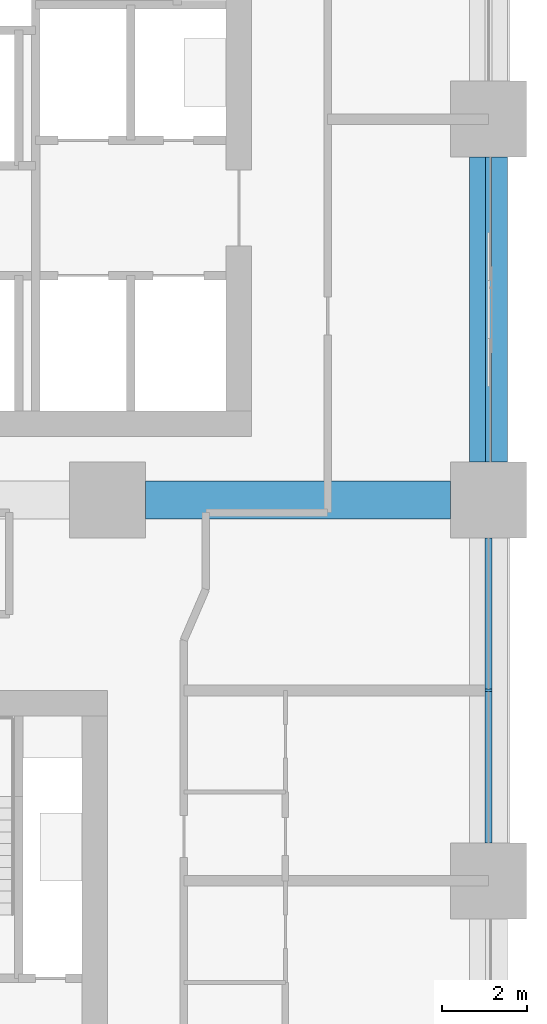
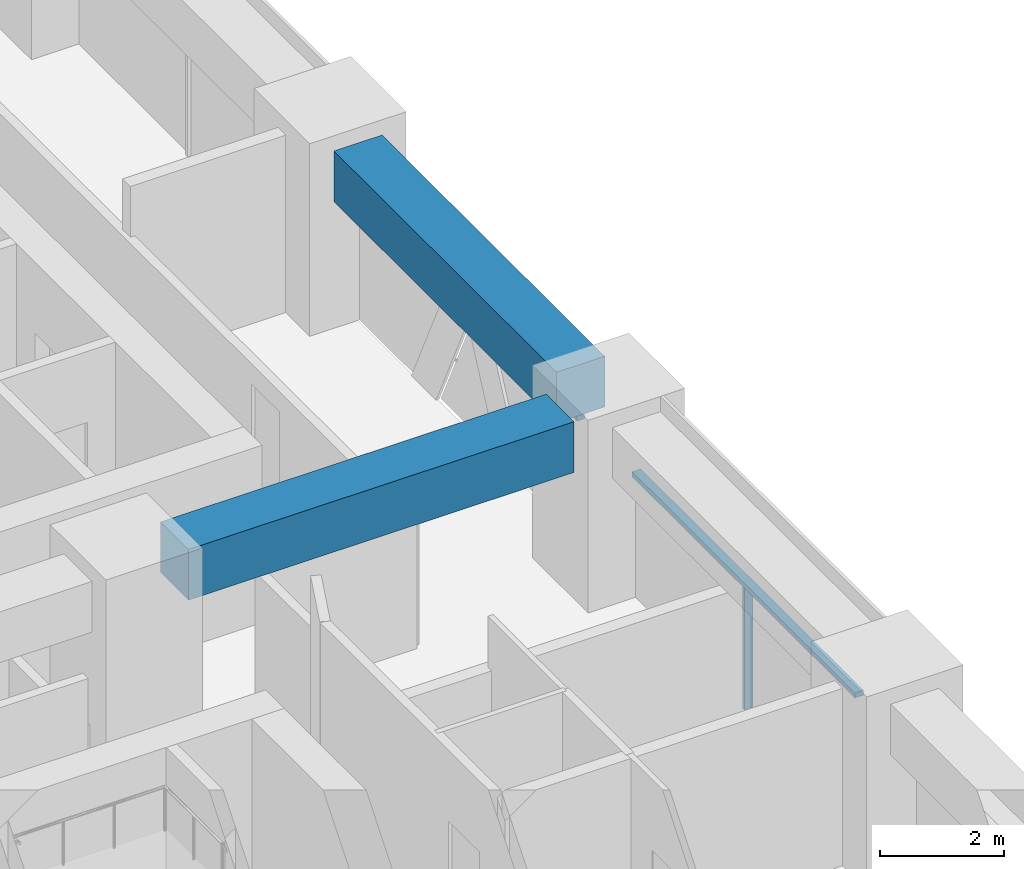
# One storey, part 5 of 26: 3 members, 2 beams, 2 elements without a shape of their own.
"""IFC4 building model written with IfcOpenShell, lengths in metres."""

from ifc_helpers import new_model, si_unit, direction, frame, origin, origin_2d, place, context, subcontext, project, spatial, rectangle, extrude, material, material_profile, profile_set, type_object, element, aggregate, save


model = new_model("IFC4")

# Units and contexts
model_context = context("Model", 3, precision=1e-05, world=origin(), true_north=direction((0.0, 1.0)))
body_context = subcontext(model_context, "Body", "Model", "MODEL_VIEW")
ifc_project = project(units=[si_unit("LENGTHUNIT", "METRE"), si_unit("AREAUNIT", "SQUARE_METRE"), si_unit("VOLUMEUNIT", "CUBIC_METRE"), si_unit("PLANEANGLEUNIT", "RADIAN"), si_unit("MASSUNIT", "GRAM", prefix="KILO")], contexts=[model_context])

# Site, building, storey
site_placement = place(None, origin())
site = spatial("IfcSite", under=ifc_project, at=site_placement, CompositionType="ELEMENT")
building_placement = place(site_placement, origin())
building = spatial("IfcBuilding", under=site, at=building_placement, Name="Tessera Arch", CompositionType="ELEMENT")
storey_placement = place(building_placement, frame((0.0, 0.0, 96.800048828125)))
storey = spatial("IfcBuildingStorey", under=building, at=storey_placement, Name="L22", CompositionType="ELEMENT", Elevation=96.800048828125)

# Curtain wall, members
ifc_material_1 = material(Name="CW1 curtain wall")
curtain_wall_type_1 = type_object("IfcCurtainWallType", Name="CW1 curtain wall", PredefinedType="NOTDEFINED", material=ifc_material_1)
curtain_wall_1_placement = place(storey_placement, origin())
curtain_wall_1 = element("IfcCurtainWall", 1, at=curtain_wall_1_placement, inside=storey, type_object=curtain_wall_type_1, Name="CW1 curtain wall E54.0/2 L22", PredefinedType="NOTDEFINED")
ifc_material_2 = material(Name="Anodised aluminium pale metal", Category="aluminium")
ifc_material_profile_1 = material_profile(ifc_material_2, rectangle(XDim=0.159912109375, YDim=0.06005859375, at=origin_2d()), Name="AL 60x160")
ifc_profile_set_1 = profile_set([ifc_material_profile_1], Name="Anodised aluminium pale metal")
member_type_1 = type_object("IfcMemberType", Name="CW1 mullion", PredefinedType="MULLION", material=ifc_profile_set_1)
member_1_placement = place(storey_placement, frame((54.0, 22.5, 0.0), z_axis=(0.0, 0.0, 1.0), x_axis=(-1.0, 0.0, 0.0)))
member_1 = element("IfcMember", 2, at=member_1_placement, type_object=member_type_1, Name="CW1 mullion E54.0/2 1", PredefinedType="MULLION", context=body_context, shape_type="SweptSolid", body=[
    extrude(rectangle(XDim=0.159912109375, YDim=0.06005859375, at=origin_2d()), origin(), (0.0, 0.0, 1.0), 2.39990234375),
])
ifc_material_3 = material(Name="Anodised aluminium pale metal", Category="aluminium")
ifc_material_profile_2 = material_profile(ifc_material_3, rectangle(XDim=0.159912109375, YDim=0.10009765625, at=origin_2d()), Name="AL 160x100")
ifc_profile_set_2 = profile_set([ifc_material_profile_2], Name="Anodised aluminium pale metal")
member_type_2 = type_object("IfcMemberType", Name="CW1 transom", PredefinedType="USERDEFINED", material=ifc_profile_set_2)
member_2_placement = place(storey_placement, frame((54.0, 18.89990234375, 2.449951171875), z_axis=(0.0, 1.0, 0.0), x_axis=(-1.0, 0.0, 0.0)))
member_2 = element("IfcMember", 3, at=member_2_placement, type_object=member_type_2, Name="CW1 transom E54.0/2 1.1", ObjectType="TRANSOM", PredefinedType="USERDEFINED", context=body_context, shape_type="SweptSolid", body=[
    extrude(rectangle(XDim=0.159912109375, YDim=0.10009765625, at=origin_2d()), origin(), (0.0, 0.0, 1.0), 7.2001953125),
])
aggregate(curtain_wall_1, [member_1, member_2])

# Curtain wall, member
ifc_material_4 = material(Name="CW3 curtain wall")
curtain_wall_type_2 = type_object("IfcCurtainWallType", Name="CW3 curtain wall", PredefinedType="NOTDEFINED", material=ifc_material_4)
curtain_wall_2_placement = place(storey_placement, origin())
curtain_wall_2 = element("IfcCurtainWall", 4, at=curtain_wall_2_placement, inside=storey, type_object=curtain_wall_type_2, Name="CW3 curtain wall E54.0/3 L22", PredefinedType="NOTDEFINED")
ifc_material_5 = material(Name="Anodised aluminium pale metal", Category="aluminium")
ifc_material_profile_3 = material_profile(ifc_material_5, rectangle(XDim=0.139892578125, YDim=0.10009765625, at=origin_2d()), Name="AL 140x100")
ifc_profile_set_3 = profile_set([ifc_material_profile_3], Name="Anodised aluminium pale metal")
member_type_3 = type_object("IfcMemberType", Name="CW3 transom", PredefinedType="USERDEFINED", material=ifc_profile_set_3)
member_3_placement = place(storey_placement, frame((54.0, 27.89990234375, 2.449951171875), z_axis=(0.0, 1.0, 0.0), x_axis=(-1.0, 0.0, 0.0)))
member_3 = element("IfcMember", 5, at=member_3_placement, type_object=member_type_3, Name="CW3 transom E54.0/3 1.1", ObjectType="TRANSOM", PredefinedType="USERDEFINED", context=body_context, shape_type="SweptSolid", body=[
    extrude(rectangle(XDim=0.139892578125, YDim=0.10009765625, at=origin_2d()), origin(), (0.0, 0.0, 1.0), 7.2001953125),
])
aggregate(curtain_wall_2, [member_3])

# Beams
ifc_material_6 = material(Name="Concrete C80/95", Category="concrete")
ifc_material_profile_4 = material_profile(ifc_material_6, rectangle(XDim=0.89990234375, YDim=1.0, at=origin_2d()), Name="RC spandrel beam 900 x 1000 Concrete C80/95")
ifc_profile_set_4 = profile_set([ifc_material_profile_4], Name="Concrete C80/95")
beam_type = type_object("IfcBeamType", Name="RC spandrel beam 900 x 1000 Concrete C80/95", PredefinedType="BEAM", material=ifc_profile_set_4)
for number, where, z_axis, x_axis, name in (
    (6, (54.0, 27.89990234375, 3.0), (0.0, 1.0, 0.0), (-1.0, 0.0, 0.0), "Spandrel beam L22 E54.0/3"),
    (7, (45.89990234375, 27.0, 3.0), (1.0, 0.0, 0.0), (0.0, 1.0, 0.0), "Interface beam L22 I1C6D-C7D"),
):
    element("IfcBeam", number, at=place(storey_placement, frame(where, z_axis=z_axis, x_axis=x_axis)), inside=storey, type_object=beam_type, Name=name, PredefinedType="BEAM", context=body_context, shape_type="SweptSolid", body=[
        extrude(rectangle(XDim=0.89990234375, YDim=1.0, at=origin_2d()), origin(), (0.0, 0.0, 1.0), 7.2001953125),
    ])

save(model, "model.ifc")
